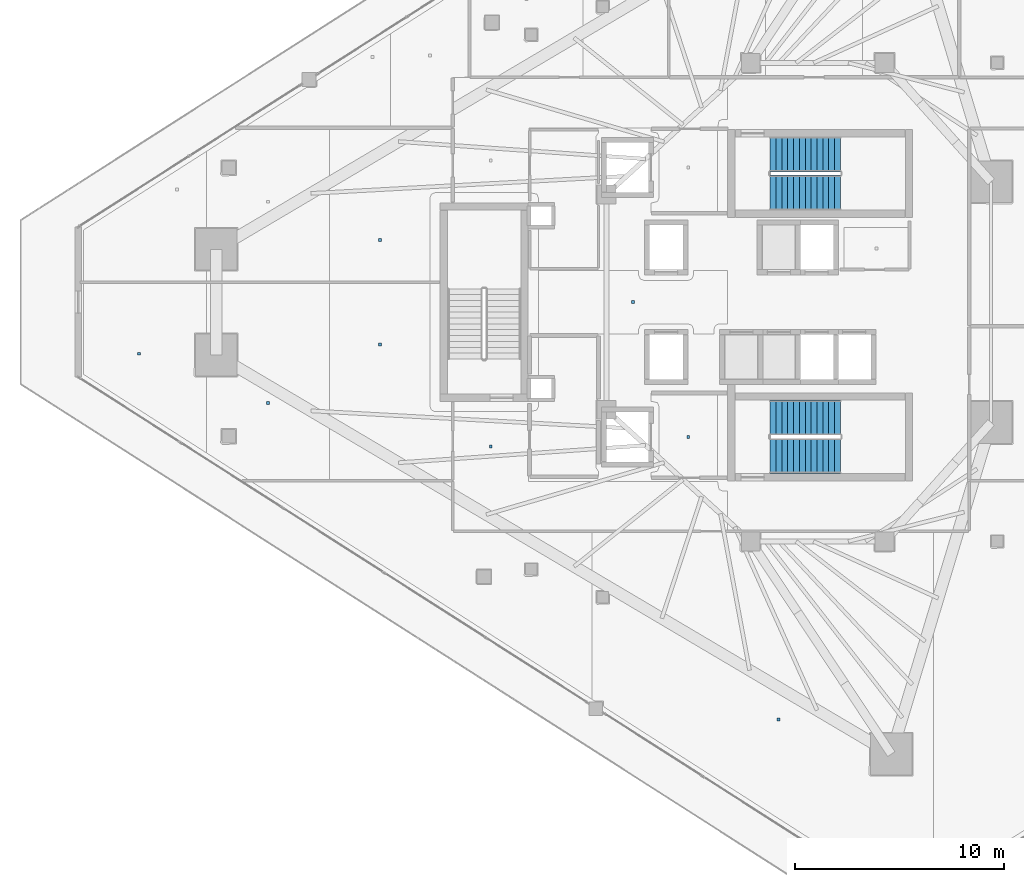
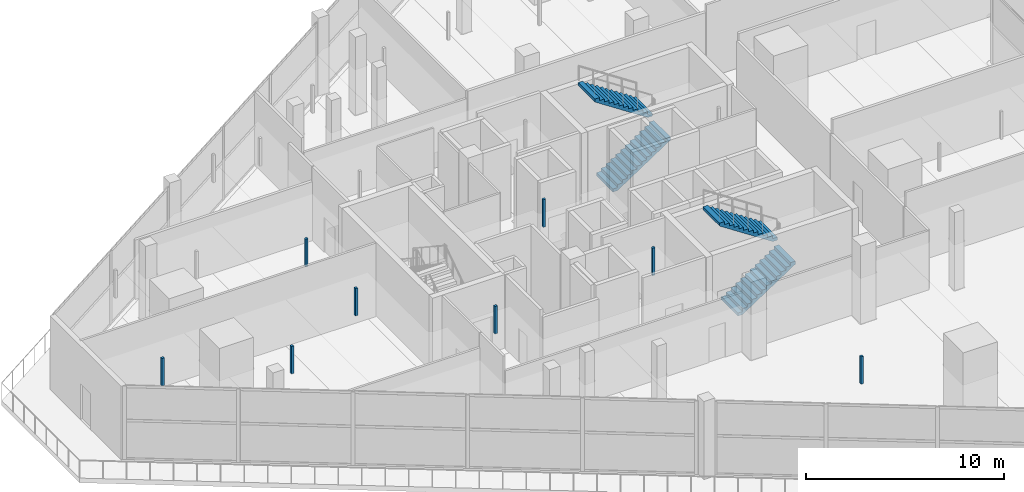
# One storey, part 26 of 36: 8 discrete accessories, 4 stair flights, 2 elements without a shape of their own.
"""IFC4 building model written with IfcOpenShell, lengths in metres."""

from ifc_helpers import new_model, si_unit, direction, frame, origin, origin_2d, place, context, subcontext, project, spatial, polyline, rectangle, outline, extrude, material, layer, layer_set, type_object, element, aggregate, save


model = new_model("IFC4")

# Units and contexts
model_context = context("Model", 3, precision=1e-05, world=origin(), true_north=direction((0.0, 1.0)))
body_context = subcontext(model_context, "Body", "Model", "MODEL_VIEW")
ifc_project = project(units=[si_unit("LENGTHUNIT", "METRE"), si_unit("AREAUNIT", "SQUARE_METRE"), si_unit("VOLUMEUNIT", "CUBIC_METRE"), si_unit("PLANEANGLEUNIT", "RADIAN"), si_unit("MASSUNIT", "GRAM", prefix="KILO")], contexts=[model_context])

# Site, building, storey
site_placement = place(None, origin())
site = spatial("IfcSite", under=ifc_project, at=site_placement, CompositionType="ELEMENT")
building_placement = place(site_placement, origin())
building = spatial("IfcBuilding", under=site, at=building_placement, Name="Qorvath Tower", CompositionType="ELEMENT")
storey_placement = place(building_placement, frame((0.0, 0.0, 180.0)))
storey = spatial("IfcBuildingStorey", under=building, at=storey_placement, Name="L41", CompositionType="ELEMENT", Elevation=180.0)

# Stair, stair flights
ifc_material_1 = material(Name="Concrete C50/60", Category="concrete")
stair_type = type_object("IfcStairType", Name="ST-H480", PredefinedType="HALF_TURN_STAIR", material=ifc_material_1)
stair_1_placement = place(storey_placement, origin())
stair_1 = element("IfcStair", 1, at=stair_1_placement, inside=storey, type_object=stair_type, Name="L41 Tower Exit Stair 1", PredefinedType="HALF_TURN_STAIR")
ifc_material_2 = material(Name="Concrete C50/60", Category="concrete")
ifc_layer = layer(ifc_material_2, 0.14990234375)
ifc_layer_set = layer_set([ifc_layer], Name="SF-H480")
stair_flight_type = type_object("IfcStairFlightType", Name="SF-H480", PredefinedType="STRAIGHT", material=ifc_layer_set)
stair_flight_1_placement = place(storey_placement, frame((-22.669921875, 5.239990234375, 0.0), z_axis=(0.0, 0.0, 1.0), x_axis=(1.0, 0.0, 0.0)))
stair_flight_1 = element("IfcStairFlight", 2, at=stair_flight_1_placement, type_object=stair_flight_type, Name="TS1 flight 1", NumberOfRisers=13, NumberOfTreads=12, PredefinedType="STRAIGHT", RiserHeight=0.184615385, TreadLength=0.28, context=body_context, shape_type="SweptSolid", body=[
    extrude(outline(polyline([(0.0, 0.0), (0.0, 0.1845703125), (0.280029296875, 0.1845703125), (0.280029296875, 0.369140625), (0.56005859375, 0.369140625), (0.56005859375, 0.553955078125), (0.840087890625, 0.553955078125), (0.840087890625, 0.738525390625), (1.1201171875, 0.738525390625), (1.1201171875, 0.923095703125), (1.39990234375, 0.923095703125), (1.39990234375, 1.107666015625), (1.679931640625, 1.107666015625), (1.679931640625, 1.292236328125), (1.9599609375, 1.292236328125), (1.9599609375, 1.476806640625), (2.239990234375, 1.476806640625), (2.239990234375, 1.66162109375), (2.52001953125, 1.66162109375), (2.52001953125, 1.84619140625), (2.800048828125, 1.84619140625), (2.800048828125, 2.03076171875), (3.080078125, 2.03076171875), (3.080078125, 2.21533203125), (3.360107421875, 2.21533203125), (3.360107421875, 2.39990234375), (3.360107421875, 2.035888671875), (0.272216796875, 0.0), (0.0, 0.0)])), frame((0.0, 0.83984375, 0.0), z_axis=(0.0, -1.0, 0.0), x_axis=(1.0, 0.0, 0.0)), (0.0, 0.0, 1.0), 1.679931640625),
])
stair_flight_2_placement = place(storey_placement, frame((-19.31005859375, 7.070068359375, 2.39990234375), z_axis=(0.0, 0.0, 1.0), x_axis=(-1.0, 0.0, 0.0)))
stair_flight_2 = element("IfcStairFlight", 3, at=stair_flight_2_placement, type_object=stair_flight_type, Name="TS1 flight 2", NumberOfRisers=13, NumberOfTreads=12, PredefinedType="STRAIGHT", RiserHeight=0.184615385, TreadLength=0.28, context=body_context, shape_type="SweptSolid", body=[
    extrude(outline(polyline([(0.0, 0.0), (0.0, 0.1845703125), (0.280029296875, 0.1845703125), (0.280029296875, 0.369140625), (0.56005859375, 0.369140625), (0.56005859375, 0.553955078125), (0.840087890625, 0.553955078125), (0.840087890625, 0.738525390625), (1.1201171875, 0.738525390625), (1.1201171875, 0.923095703125), (1.39990234375, 0.923095703125), (1.39990234375, 1.107666015625), (1.679931640625, 1.107666015625), (1.679931640625, 1.292236328125), (1.9599609375, 1.292236328125), (1.9599609375, 1.476806640625), (2.239990234375, 1.476806640625), (2.239990234375, 1.66162109375), (2.52001953125, 1.66162109375), (2.52001953125, 1.84619140625), (2.800048828125, 1.84619140625), (2.800048828125, 2.03076171875), (3.080078125, 2.03076171875), (3.080078125, 2.21533203125), (3.360107421875, 2.21533203125), (3.360107421875, 2.39990234375), (3.360107421875, 2.035888671875), (0.272216796875, 0.0), (0.0, 0.0)])), frame((0.0, 0.83984375, 0.0), z_axis=(0.0, -1.0, 0.0), x_axis=(1.0, 0.0, 0.0)), (0.0, 0.0, 1.0), 1.679931640625),
])
aggregate(stair_1, [stair_flight_1, stair_flight_2])

stair_2_placement = place(storey_placement, origin())
stair_2 = element("IfcStair", 4, at=stair_2_placement, inside=storey, type_object=stair_type, Name="L41 Tower Exit Stair 2", PredefinedType="HALF_TURN_STAIR")
stair_flight_3_placement = place(storey_placement, frame((-22.669921875, -7.360107421875, 0.0), z_axis=(0.0, 0.0, 1.0), x_axis=(1.0, 0.0, 0.0)))
stair_flight_3 = element("IfcStairFlight", 5, at=stair_flight_3_placement, type_object=stair_flight_type, Name="TS2 flight 1", NumberOfRisers=13, NumberOfTreads=12, PredefinedType="STRAIGHT", RiserHeight=0.184615385, TreadLength=0.28, context=body_context, shape_type="SweptSolid", body=[
    extrude(outline(polyline([(0.0, 0.0), (0.0, 0.1845703125), (0.280029296875, 0.1845703125), (0.280029296875, 0.369140625), (0.56005859375, 0.369140625), (0.56005859375, 0.553955078125), (0.840087890625, 0.553955078125), (0.840087890625, 0.738525390625), (1.1201171875, 0.738525390625), (1.1201171875, 0.923095703125), (1.39990234375, 0.923095703125), (1.39990234375, 1.107666015625), (1.679931640625, 1.107666015625), (1.679931640625, 1.292236328125), (1.9599609375, 1.292236328125), (1.9599609375, 1.476806640625), (2.239990234375, 1.476806640625), (2.239990234375, 1.66162109375), (2.52001953125, 1.66162109375), (2.52001953125, 1.84619140625), (2.800048828125, 1.84619140625), (2.800048828125, 2.03076171875), (3.080078125, 2.03076171875), (3.080078125, 2.21533203125), (3.360107421875, 2.21533203125), (3.360107421875, 2.39990234375), (3.360107421875, 2.035888671875), (0.272216796875, 0.0), (0.0, 0.0)])), frame((0.0, 0.83984375, 0.0), z_axis=(0.0, -1.0, 0.0), x_axis=(1.0, 0.0, 0.0)), (0.0, 0.0, 1.0), 1.679931640625),
])
stair_flight_4_placement = place(storey_placement, frame((-19.31005859375, -5.530029296875, 2.39990234375), z_axis=(0.0, 0.0, 1.0), x_axis=(-1.0, 0.0, 0.0)))
stair_flight_4 = element("IfcStairFlight", 6, at=stair_flight_4_placement, type_object=stair_flight_type, Name="TS2 flight 2", NumberOfRisers=13, NumberOfTreads=12, PredefinedType="STRAIGHT", RiserHeight=0.184615385, TreadLength=0.28, context=body_context, shape_type="SweptSolid", body=[
    extrude(outline(polyline([(0.0, 0.0), (0.0, 0.1845703125), (0.280029296875, 0.1845703125), (0.280029296875, 0.369140625), (0.56005859375, 0.369140625), (0.56005859375, 0.553955078125), (0.840087890625, 0.553955078125), (0.840087890625, 0.738525390625), (1.1201171875, 0.738525390625), (1.1201171875, 0.923095703125), (1.39990234375, 0.923095703125), (1.39990234375, 1.107666015625), (1.679931640625, 1.107666015625), (1.679931640625, 1.292236328125), (1.9599609375, 1.292236328125), (1.9599609375, 1.476806640625), (2.239990234375, 1.476806640625), (2.239990234375, 1.66162109375), (2.52001953125, 1.66162109375), (2.52001953125, 1.84619140625), (2.800048828125, 1.84619140625), (2.800048828125, 2.03076171875), (3.080078125, 2.03076171875), (3.080078125, 2.21533203125), (3.360107421875, 2.21533203125), (3.360107421875, 2.39990234375), (3.360107421875, 2.035888671875), (0.272216796875, 0.0), (0.0, 0.0)])), frame((0.0, 0.83984375, 0.0), z_axis=(0.0, -1.0, 0.0), x_axis=(1.0, 0.0, 0.0)), (0.0, 0.0, 1.0), 1.679931640625),
])
aggregate(stair_2, [stair_flight_3, stair_flight_4])

# Discrete accessories
ifc_material_3 = material(Name="Galvanised steel bracket", Category="steel")
discrete_accessory_type = type_object("IfcDiscreteAccessoryType", Name="DA-BRACKET", PredefinedType="BRACKET", material=ifc_material_3)
for number, where, z_axis, x_axis, name in (
    (7, (-26.590087890625, -6.449951171875, 2.85986328125), (0.0, 0.0, 1.0), (1.0, 0.0, 0.0), "Acoustic Ceiling Suspension Hanger T1-L41-002"),
    (8, (-36.04150390625, -6.906982421875, 2.85986328125), (0.0, 0.0, 1.0), (1.0, 0.0, 0.0), "Acoustic Ceiling Suspension Hanger T1-L41-006"),
    (9, (-29.240966796875, 0.0, 2.85986328125), (0.0, 0.0, 1.0), (1.0, 0.0, 0.0), "Acoustic Ceiling Suspension Hanger T1-L41-008"),
    (10, (-22.26220703125, -19.974609375, 2.85986328125), (0.0, 0.0, 1.0), (1.0, 0.0, 0.0), "Acoustic Ceiling Suspension Hanger T1-L41-020"),
    (11, (-52.873779296875, -2.469970703125, 2.85986328125), (0.0, 0.0, 1.0), (1.0, 0.0, 0.0), "Acoustic Ceiling Suspension Hanger T1-L41-028"),
    (12, (-46.69384765625, -4.820068359375, 2.85986328125), (0.0, 0.0, 1.0), (1.0, 0.0, 0.0), "Acoustic Ceiling Suspension Hanger T1-L41-029"),
    (13, (-41.35009765625, -2.020751953125, 2.85986328125), (0.0, 0.0, 1.0), (1.0, 0.0, 0.0), "Acoustic Ceiling Suspension Hanger T1-L41-030"),
    (14, (-41.35009765625, 2.97802734375, 2.85986328125), (0.0, 0.0, 1.0), (1.0, 0.0, 0.0), "Acoustic Ceiling Suspension Hanger T1-L41-033"),
):
    element("IfcDiscreteAccessory", number, at=place(storey_placement, frame(where, z_axis=z_axis, x_axis=x_axis)), inside=storey, type_object=discrete_accessory_type, Name=name, PredefinedType="NOTDEFINED", context=body_context, shape_type="SweptSolid", body=[
        extrude(rectangle(XDim=0.139892578125, YDim=0.139892578125, at=origin_2d()), origin(), (0.0, 0.0, 1.0), 1.699951171875),
    ])

save(model, "model.ifc")
